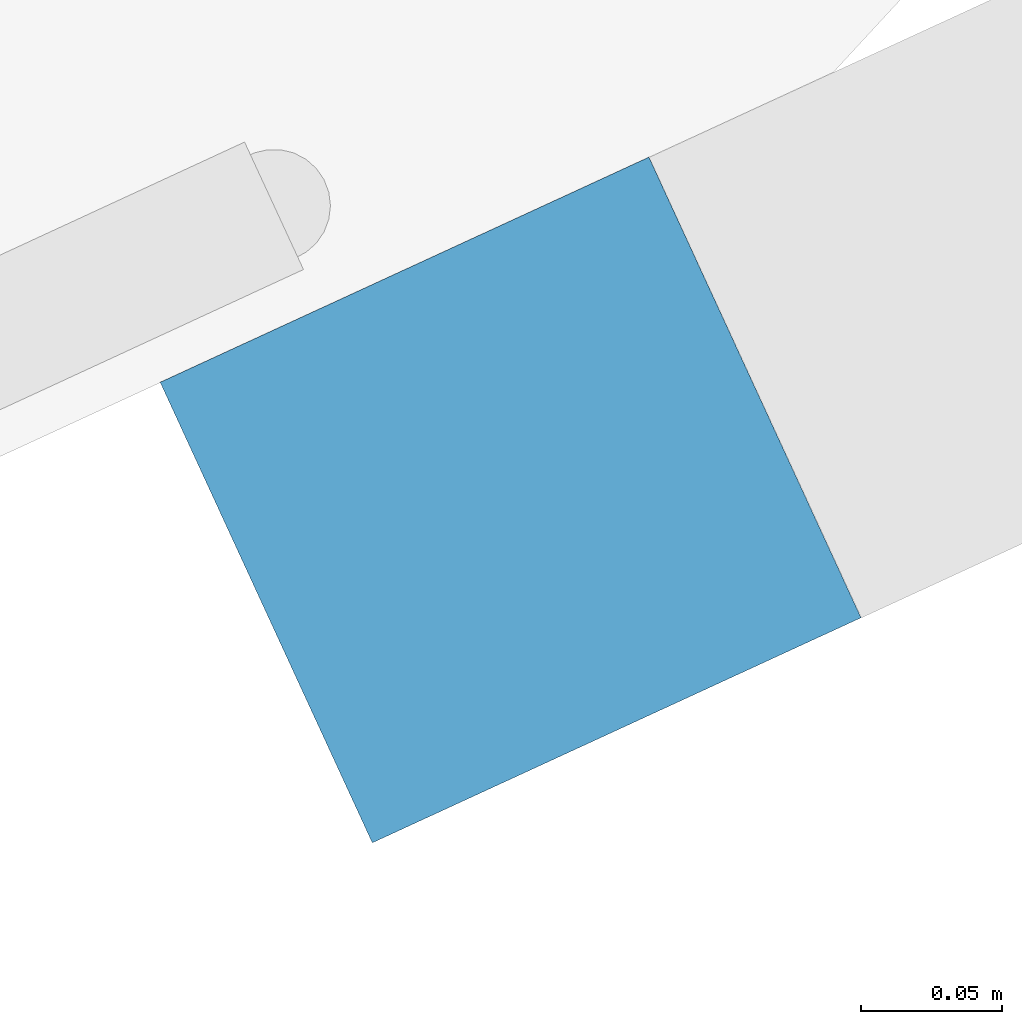
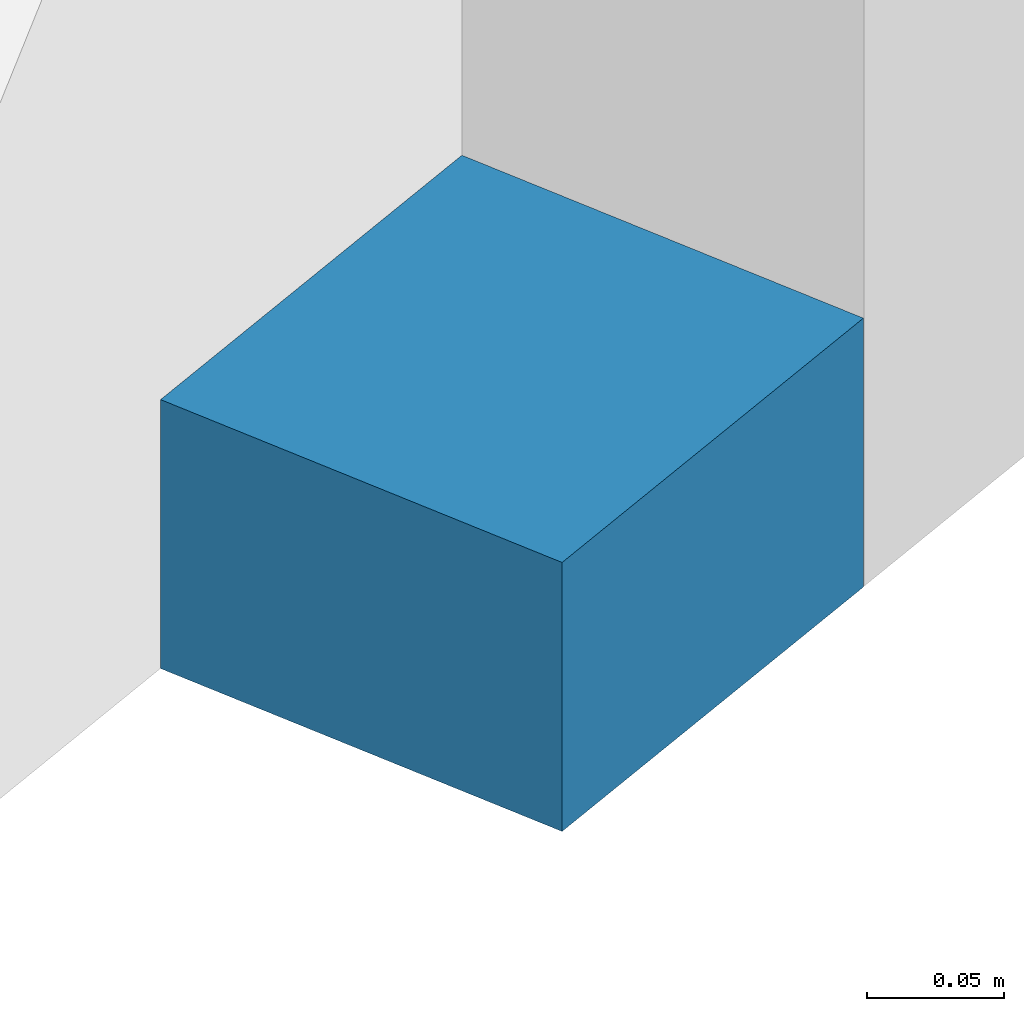
# One storey, part 13 of 25: 1 member, 1 element without a shape of its own.
"""IFC4 building model written with IfcOpenShell, lengths in metres."""

from ifc_helpers import new_model, si_unit, direction, frame, origin, origin_2d, place, context, subcontext, project, spatial, rectangle, extrude, material, material_profile, profile_set, type_object, element, aggregate, save


model = new_model("IFC4")

# Units and contexts
model_context = context("Model", 3, precision=1e-05, world=origin(), true_north=direction((0.0, 1.0)))
body_context = subcontext(model_context, "Body", "Model", "MODEL_VIEW")
ifc_project = project(units=[si_unit("LENGTHUNIT", "METRE"), si_unit("AREAUNIT", "SQUARE_METRE"), si_unit("VOLUMEUNIT", "CUBIC_METRE"), si_unit("PLANEANGLEUNIT", "RADIAN"), si_unit("MASSUNIT", "GRAM", prefix="KILO")], contexts=[model_context])

# Site, building, storey
site_placement = place(None, origin())
site = spatial("IfcSite", under=ifc_project, at=site_placement, CompositionType="ELEMENT")
building_placement = place(site_placement, origin())
building = spatial("IfcBuilding", under=site, at=building_placement, Name="Orlundy Tower", CompositionType="ELEMENT")
storey_placement = place(building_placement, frame((0.0, 0.0, 217.5)))
storey = spatial("IfcBuildingStorey", under=building, at=storey_placement, Name="L57", CompositionType="ELEMENT", Elevation=217.5)

# Curtain wall, member
ifc_material_1 = material(Name="Aluminium bronze anodised", Category="aluminium")
curtain_wall_type = type_object("IfcCurtainWallType", Name="CW1 wall", PredefinedType="NOTDEFINED", material=ifc_material_1)
curtain_wall_placement = place(storey_placement, origin())
curtain_wall = element("IfcCurtainWall", 1, at=curtain_wall_placement, inside=storey, type_object=curtain_wall_type, Name="CW1 run 015", PredefinedType="NOTDEFINED")
ifc_material_2 = material(Name="Aluminium bronze anodised", Category="aluminium")
ifc_material_profile = material_profile(ifc_material_2, rectangle(XDim=0.179931640625, YDim=0.1201171875, at=origin_2d()), Name="CW1 transom 180x120")
ifc_profile_set = profile_set([ifc_material_profile], Name="Aluminium bronze anodised")
member_type = type_object("IfcMemberType", Name="CW1 transom 180x120", PredefinedType="USERDEFINED", material=ifc_profile_set)
member_placement = place(storey_placement, frame((37.17822265625, -11.00390625, -0.360107421875), z_axis=(-0.908296074707, -0.418327910463, 0.0), x_axis=(0.418327910463, -0.908296074707, 0.0)))
member = element("IfcMember", 2, at=member_placement, type_object=member_type, Name="CW1 transom", ObjectType="TRANSOM", PredefinedType="USERDEFINED", context=body_context, shape_type="SweptSolid", body=[
    extrude(rectangle(XDim=0.179931640625, YDim=0.1201171875, at=origin_2d()), origin(), (0.0, 0.0, 1.0), 0.19091796875),
])
aggregate(curtain_wall, [member])

save(model, "model.ifc")
